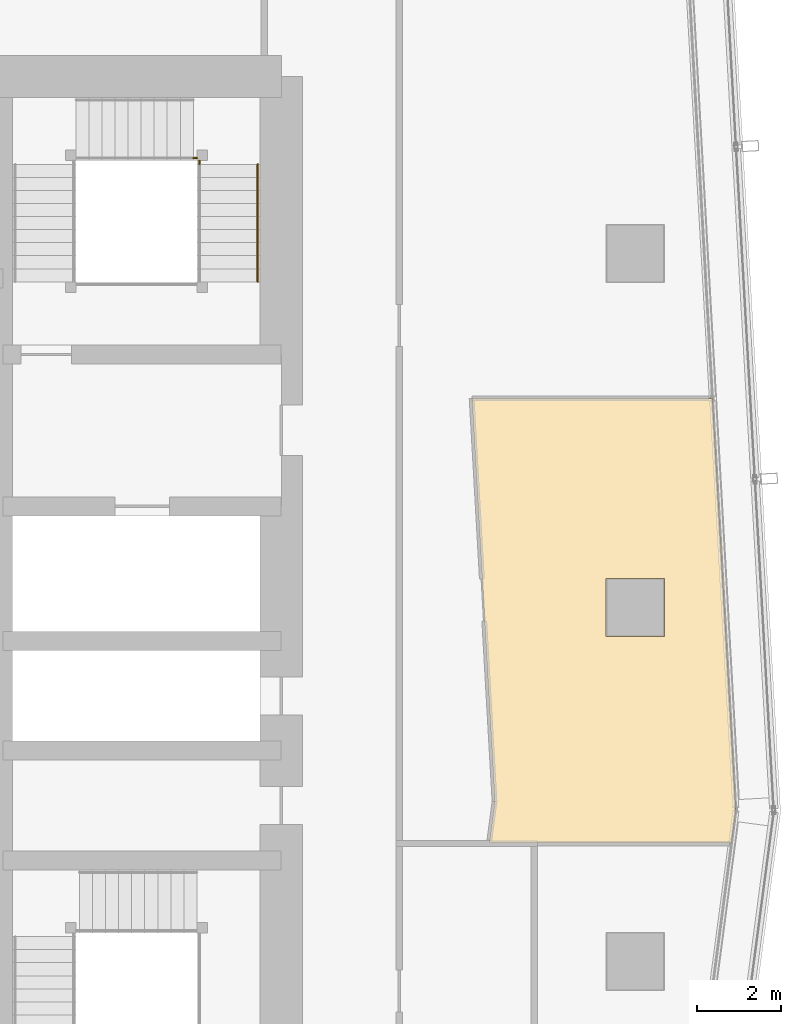
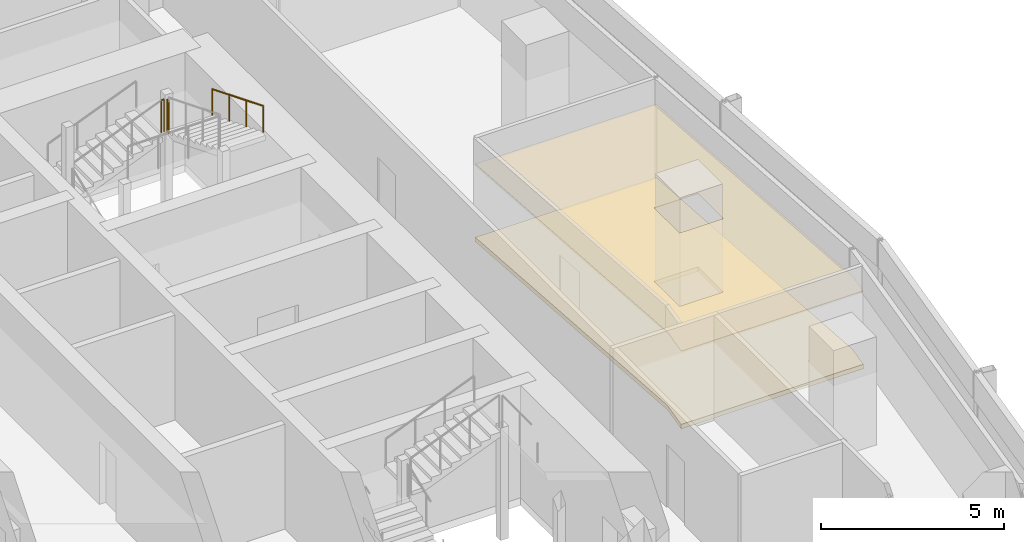
# One storey, part 39 of 40: 3 railings, 2 coverings.
"""IFC4 building model written with IfcOpenShell, lengths in metres."""

from ifc_helpers import new_model, si_unit, direction, frame, origin, origin_2d, place, context, subcontext, project, spatial, polyline, circle, outline, extrude, material, layer, layer_set, type_object, element, save


model = new_model("IFC4")

# Units and contexts
model_context = context("Model", 3, precision=1e-05, world=origin(), true_north=direction((0.0, 1.0)))
body_context = subcontext(model_context, "Body", "Model", "MODEL_VIEW")
ifc_project = project(units=[si_unit("LENGTHUNIT", "METRE"), si_unit("AREAUNIT", "SQUARE_METRE"), si_unit("VOLUMEUNIT", "CUBIC_METRE"), si_unit("PLANEANGLEUNIT", "RADIAN"), si_unit("MASSUNIT", "GRAM", prefix="KILO")], contexts=[model_context])

# Site, building, storey
site_placement = place(None, origin())
site = spatial("IfcSite", under=ifc_project, at=site_placement, CompositionType="ELEMENT")
building_placement = place(site_placement, origin())
building = spatial("IfcBuilding", under=site, at=building_placement, Name="Rekha Terrace Tower", CompositionType="ELEMENT")
storey_placement = place(building_placement, frame((0.0, 0.0, 210.199951171875)))
storey = spatial("IfcBuildingStorey", under=building, at=storey_placement, Name="L53", CompositionType="ELEMENT", Elevation=210.199951171875)

# Covering
ifc_material_1 = material(Name="Mineral fibre tile in exposed grid", Category="finish")
ifc_layer_1 = layer(ifc_material_1, 0.02001953125)
ifc_layer_set_1 = layer_set([ifc_layer_1], Name="Mineral fibre tile in exposed grid")
covering_type_1 = type_object("IfcCoveringType", Name="CL1 600x1200 office grid ceiling", PredefinedType="CEILING", material=ifc_layer_set_1)
covering_1_placement = place(storey_placement, frame((0.0, 0.0, 2.580078125)))
element("IfcCovering", 1, at=covering_1_placement, inside=storey, type_object=covering_type_1, Name="Ceiling L53-05", PredefinedType="CEILING", context=body_context, shape_type="SweptSolid", body=[
    extrude(outline(polyline([(55.465087890625, 28.9951171875), (55.3349609375, 28.013916015625), (61.083984375, 28.013916015625), (61.18603515625, 28.780029296875), (60.631103515625, 38.554931640625), (54.922119140625, 38.554931640625), (55.465087890625, 28.9951171875)]), holes=[polyline([(59.489990234375, 34.2900390625), (59.489990234375, 32.909912109375), (58.110107421875, 32.909912109375), (58.110107421875, 34.2900390625), (59.489990234375, 34.2900390625)])]), origin(), (0.0, 0.0, 1.0), 0.02001953125),
])

# Railings
ifc_material_2 = material(Name="Stainless steel balustrade", Category="steel")
railing_type_1 = type_object("IfcRailingType", Name="GR1 1100 stair guard", PredefinedType="GUARDRAIL", material=ifc_material_2)
railing_1_placement = place(storey_placement, frame((48.31494140625, 44.260009765625, 2.5)))
element("IfcRailing", 2, at=railing_1_placement, inside=storey, type_object=railing_type_1, Name="Guard ST2 L53 landing 2", PredefinedType="GUARDRAIL", context=body_context, shape_type="SweptSolid", body=[
    extrude(circle(Radius=0.02392578125, at=origin_2d()), frame((0.0, 0.0, 1.076171875), z_axis=(1.0, 0.0, 0.0), x_axis=(0.0, 1.0, 0.0)), (0.0, 0.0, 1.0), 0.0849609375),
    extrude(circle(Radius=0.02099609375, at=origin_2d()), origin(), (0.0, 0.0, 1.0), 1.052001953125),
    extrude(circle(Radius=0.02099609375, at=origin_2d()), frame((0.0849609375, 0.0, 0.0)), (0.0, 0.0, 1.0), 1.052001953125),
])
railing_2_placement = place(storey_placement, frame((48.4599609375, 44.114990234375, 2.5)))
element("IfcRailing", 3, at=railing_2_placement, inside=storey, type_object=railing_type_1, Name="Guard ST2 L53 landing 3", PredefinedType="GUARDRAIL", context=body_context, shape_type="SweptSolid", body=[
    extrude(circle(Radius=0.02392578125, at=origin_2d()), frame((0.0, 0.0, 1.076171875), z_axis=(0.0, 1.0, 0.0), x_axis=(-1.0, 0.0, 0.0)), (0.0, 0.0, 1.0), 0.0849609375),
    extrude(circle(Radius=0.02099609375, at=origin_2d()), origin(), (0.0, 0.0, 1.0), 1.052001953125),
    extrude(circle(Radius=0.02099609375, at=origin_2d()), frame((0.0, 0.0849609375, 0.0)), (0.0, 0.0, 1.0), 1.052001953125),
])
ifc_material_3 = material(Name="Stainless steel tube", Category="steel")
railing_type_2 = type_object("IfcRailingType", Name="HR1 900 stair handrail", PredefinedType="HANDRAIL", material=ifc_material_3)
railing_3_placement = place(storey_placement, frame((49.840087890625, 44.114990234375, 2.625)))
element("IfcRailing", 4, at=railing_3_placement, inside=storey, type_object=railing_type_2, Name="Handrail ST2 L53 flight 3", PredefinedType="HANDRAIL", context=body_context, shape_type="SweptSolid", body=[
    extrude(circle(Radius=0.02392578125, at=origin_2d()), frame((0.0, 0.0, 0.8759765625), z_axis=(0.0, -0.927443287984, 0.373963831907), x_axis=(1.0, 0.0, 0.0)), (0.0, 0.0, 1.0), 3.00830078125),
    extrude(circle(Radius=0.02099609375, at=origin_2d()), origin(), (0.0, 0.0, 1.0), 0.851806640625),
    extrude(circle(Radius=0.02099609375, at=origin_2d()), frame((0.0, -0.929931640625, 0.375)), (0.0, 0.0, 1.0), 0.851806640625),
    extrude(circle(Radius=0.02099609375, at=origin_2d()), frame((0.0, -1.860107421875, 0.75)), (0.0, 0.0, 1.0), 0.851806640625),
    extrude(circle(Radius=0.02099609375, at=origin_2d()), frame((0.0, -2.7900390625, 1.125)), (0.0, 0.0, 1.0), 0.851806640625),
])

# Covering
ifc_material_4 = material(Name="Calcium sulphate panels on steel pedestals", Category="steel")
ifc_layer_2 = layer(ifc_material_4, 0.14990234375)
ifc_layer_set_2 = layer_set([ifc_layer_2], Name="Calcium sulphate panels on steel pedestals")
covering_type_2 = type_object("IfcCoveringType", Name="RF1 150 raised access floor", PredefinedType="FLOORING", material=ifc_layer_set_2)
covering_2_placement = place(storey_placement, origin())
element("IfcCovering", 5, at=covering_2_placement, inside=storey, type_object=covering_type_2, Name="Raised floor L53-05", PredefinedType="FLOORING", context=body_context, shape_type="SweptSolid", body=[
    extrude(outline(polyline([(55.465087890625, 28.9951171875), (55.3349609375, 28.013916015625), (61.083984375, 28.013916015625), (61.18603515625, 28.780029296875), (60.631103515625, 38.554931640625), (54.922119140625, 38.554931640625), (55.465087890625, 28.9951171875)]), holes=[polyline([(59.489990234375, 34.2900390625), (59.489990234375, 32.909912109375), (58.110107421875, 32.909912109375), (58.110107421875, 34.2900390625), (59.489990234375, 34.2900390625)])]), origin(), (0.0, 0.0, 1.0), 0.150146484375),
])

save(model, "model.ifc")
